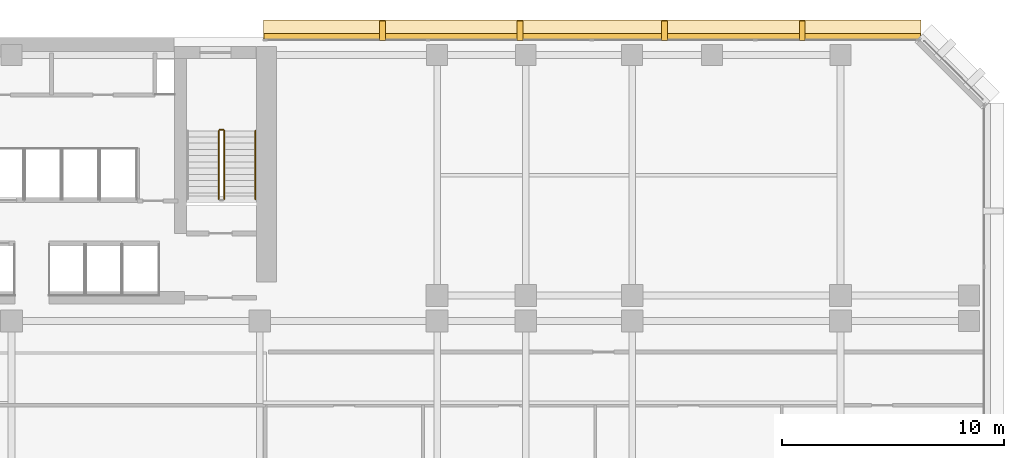
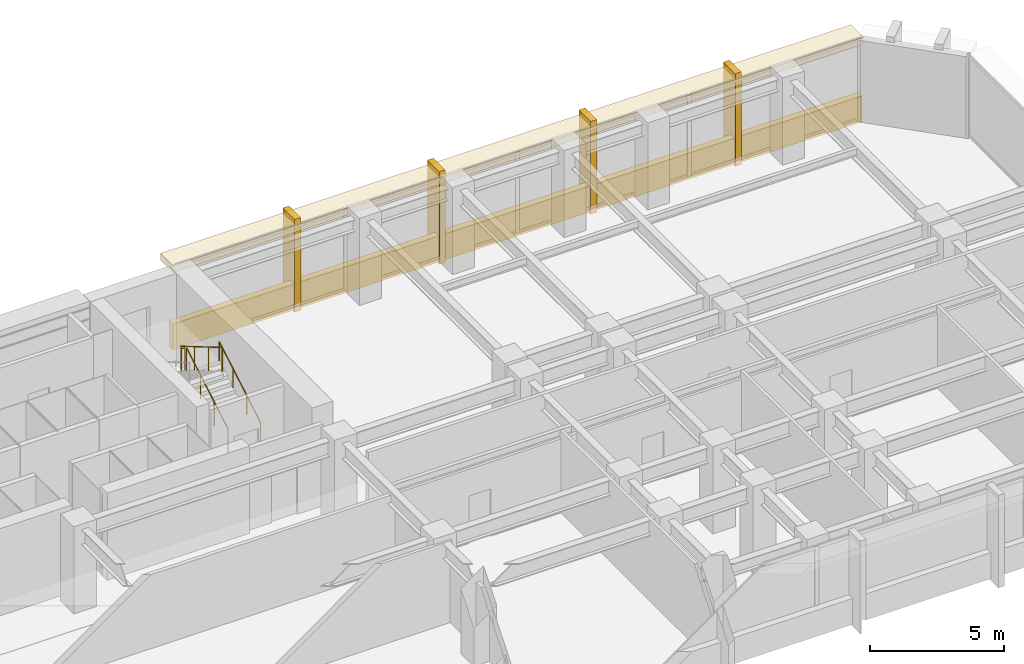
# One storey, part 12 of 13: 6 coverings, 4 railings.
"""IFC4 building model written with IfcOpenShell, lengths in metres."""

from ifc_helpers import new_model, si_unit, direction, frame, origin, origin_2d, place, context, subcontext, project, spatial, rectangle, circle, extrude, material, layer, layer_set, type_object, element, save


model = new_model("IFC4")

# Units and contexts
model_context = context("Model", 3, precision=1e-05, world=origin(), true_north=direction((0.0, 1.0)))
body_context = subcontext(model_context, "Body", "Model", "MODEL_VIEW")
ifc_project = project(units=[si_unit("LENGTHUNIT", "METRE"), si_unit("AREAUNIT", "SQUARE_METRE"), si_unit("VOLUMEUNIT", "CUBIC_METRE"), si_unit("PLANEANGLEUNIT", "RADIAN"), si_unit("MASSUNIT", "GRAM", prefix="KILO")], contexts=[model_context])

# Site, building, storey
site_placement = place(None, origin())
site = spatial("IfcSite", under=ifc_project, at=site_placement, CompositionType="ELEMENT")
building_placement = place(site_placement, origin())
building = spatial("IfcBuilding", under=site, at=building_placement, Name="Kefirva Bronze Tower", CompositionType="ELEMENT")
storey_placement = place(building_placement, frame((0.0, 0.0, 85.800048828125)))
storey = spatial("IfcBuildingStorey", under=building, at=storey_placement, Name="L20", CompositionType="ELEMENT", Elevation=85.800048828125)

# Covering
ifc_material_1 = material(Name="Bronze anodised aluminium", Category="aluminium")
ifc_layer_1 = layer(ifc_material_1, 0.02001953125, Name="Bronze anodised aluminium")
ifc_layer_set_1 = layer_set([ifc_layer_1], Name="Bronze anodised aluminium")
covering_type_1 = type_object("IfcCoveringType", Name="Anodised Bronze Spandrel Cladding 20mm", PredefinedType="CLADDING", material=ifc_layer_set_1)
covering_1_placement = place(storey_placement, frame((38.202392578125, 46.0400390625, -0.16015625), z_axis=(0.0, 0.0, 1.0), x_axis=(-1.0, 0.0, 0.0)))
element("IfcCovering", 1, at=covering_1_placement, inside=storey, type_object=covering_type_1, Name="L20 Streamline Horizontal Spandrel Band 8", PredefinedType="CLADDING", context=body_context, shape_type="SweptSolid", body=[
    extrude(rectangle(XDim=29.635009765625, YDim=0.280029296875, at=origin_2d()), origin(), (0.0, 0.0, 1.0), 1.179931640625),
])

# Railings
ifc_material_2 = material(Name="Stainless steel 316", Category="steel")
railing_type_1 = type_object("IfcRailingType", Name="Interior Stair Guardrail 1100mm", PredefinedType="GUARDRAIL", material=ifc_material_2)
railing_1_placement = place(storey_placement, frame((21.60009765625, 38.699951171875, 0.1650390625)))
element("IfcRailing", 2, at=railing_1_placement, inside=storey, type_object=railing_type_1, Name="L20 ST-2 stair guard 1", PredefinedType="GUARDRAIL", context=body_context, shape_type="SweptSolid", body=[
    extrude(circle(Radius=0.02392578125, at=origin_2d()), frame((0.0, 0.0, 1.076171875), z_axis=(0.0, 0.861551262678, 0.507670583921), x_axis=(-1.0, 0.0, 0.0)), (0.0, 0.0, 1.0), 3.574951171875),
    extrude(circle(Radius=0.02099609375, at=origin_2d()), origin(), (0.0, 0.0, 1.0), 1.052001953125),
    extrude(circle(Radius=0.02099609375, at=origin_2d()), frame((0.0, 1.026611328125, 0.60498046875)), (0.0, 0.0, 1.0), 1.052001953125),
    extrude(circle(Radius=0.02099609375, at=origin_2d()), frame((0.0, 2.053466796875, 1.2099609375)), (0.0, 0.0, 1.0), 1.052001953125),
    extrude(circle(Radius=0.02099609375, at=origin_2d()), frame((0.0, 3.080078125, 1.81494140625)), (0.0, 0.0, 1.0), 1.052001953125),
])
railing_2_placement = place(storey_placement, frame((21.550048828125, 41.830078125, 1.97998046875)))
element("IfcRailing", 3, at=railing_2_placement, inside=storey, type_object=railing_type_1, Name="L20 ST-2 stair guard 2", PredefinedType="GUARDRAIL", context=body_context, shape_type="SweptSolid", body=[
    extrude(circle(Radius=0.02392578125, at=origin_2d()), frame((0.0, 0.0, 1.076171875), z_axis=(-1.0, 0.0, 0.0), x_axis=(0.0, -1.0, 0.0)), (0.0, 0.0, 1.0), 0.150146484375),
    extrude(circle(Radius=0.02099609375, at=origin_2d()), origin(), (0.0, 0.0, 1.0), 1.052001953125),
    extrude(circle(Radius=0.02099609375, at=origin_2d()), frame((-0.150146484375, 0.0, 0.0)), (0.0, 0.0, 1.0), 1.052001953125),
])
railing_3_placement = place(storey_placement, frame((21.35009765625, 41.780029296875, 2.14501953125)))
element("IfcRailing", 4, at=railing_3_placement, inside=storey, type_object=railing_type_1, Name="L20 ST-2 stair guard 3", PredefinedType="GUARDRAIL", context=body_context, shape_type="SweptSolid", body=[
    extrude(circle(Radius=0.02392578125, at=origin_2d()), frame((0.0, 0.0, 1.076171875), z_axis=(0.0, -0.861551262678, 0.507670583921), x_axis=(1.0, 0.0, 0.0)), (0.0, 0.0, 1.0), 3.574951171875),
    extrude(circle(Radius=0.02099609375, at=origin_2d()), origin(), (0.0, 0.0, 1.0), 1.052001953125),
    extrude(circle(Radius=0.02099609375, at=origin_2d()), frame((0.0, -1.026611328125, 0.60498046875)), (0.0, 0.0, 1.0), 1.052001953125),
    extrude(circle(Radius=0.02099609375, at=origin_2d()), frame((0.0, -2.053466796875, 1.2099609375)), (0.0, 0.0, 1.0), 1.052001953125),
    extrude(circle(Radius=0.02099609375, at=origin_2d()), frame((0.0, -3.080078125, 1.81494140625)), (0.0, 0.0, 1.0), 1.052001953125),
])
railing_type_2 = type_object("IfcRailingType", Name="Stair Pitch Handrail 900mm", PredefinedType="HANDRAIL", material=ifc_material_2)
railing_4_placement = place(storey_placement, frame((23.0, 38.699951171875, 0.1650390625)))
element("IfcRailing", 5, at=railing_4_placement, inside=storey, type_object=railing_type_2, Name="L20 ST-2 stair handrail 1", PredefinedType="HANDRAIL", context=body_context, shape_type="SweptSolid", body=[
    extrude(circle(Radius=0.02392578125, at=origin_2d()), frame((0.0, 0.0, 0.8759765625), z_axis=(0.0, 0.861551262678, 0.507670583921), x_axis=(-1.0, 0.0, 0.0)), (0.0, 0.0, 1.0), 3.574951171875),
    extrude(circle(Radius=0.02099609375, at=origin_2d()), origin(), (0.0, 0.0, 1.0), 0.851806640625),
    extrude(circle(Radius=0.02099609375, at=origin_2d()), frame((0.0, 1.026611328125, 0.60498046875)), (0.0, 0.0, 1.0), 0.851806640625),
    extrude(circle(Radius=0.02099609375, at=origin_2d()), frame((0.0, 2.053466796875, 1.2099609375)), (0.0, 0.0, 1.0), 0.851806640625),
    extrude(circle(Radius=0.02099609375, at=origin_2d()), frame((0.0, 3.080078125, 1.81494140625)), (0.0, 0.0, 1.0), 0.851806640625),
])

# Coverings
ifc_layer_2 = layer(ifc_material_1, 0.179931640625, Name="Bronze anodised aluminium")
ifc_layer_set_2 = layer_set([ifc_layer_2], Name="Bronze anodised aluminium")
covering_type_2 = type_object("IfcCoveringType", Name="Streamline Bronze Sunshade Eyebrow Cladding 180mm", PredefinedType="CLADDING", material=ifc_layer_set_2)
covering_2_placement = place(storey_placement, frame((38.202392578125, 46.31005859375, 3.39013671875), z_axis=(0.0, 0.0, 1.0), x_axis=(-1.0, 0.0, 0.0)))
element("IfcCovering", 6, at=covering_2_placement, inside=storey, type_object=covering_type_2, Name="L20 Streamline Bronze Sunshade Eyebrow 8", PredefinedType="CLADDING", context=body_context, shape_type="SweptSolid", body=[
    extrude(rectangle(XDim=29.675048828125, YDim=0.93994140625, at=origin_2d()), origin(), (0.0, 0.0, 1.0), 0.320068359375),
])
ifc_layer_3 = layer(ifc_material_1, 0.260009765625, Name="Bronze anodised aluminium")
ifc_layer_set_3 = layer_set([ifc_layer_3], Name="Bronze anodised aluminium")
covering_type_3 = type_object("IfcCoveringType", Name="Unbroken Bronze Buttress Fin Cladding 260mm", PredefinedType="CLADDING", material=ifc_layer_set_3)
for number, where, z_axis, x_axis, name in (
    (7, (47.6728515625, 46.300048828125, -0.25), (0.0, 0.0, 1.0), (-1.0, 0.0, 0.0), "L20 Unbroken Vertical Bronze Rib Fin 19"),
    (8, (41.4580078125, 46.300048828125, -0.25), (0.0, 0.0, 1.0), (-1.0, 0.0, 0.0), "L20 Unbroken Vertical Bronze Rib Fin 20"),
    (9, (34.947021484375, 46.300048828125, -0.25), (0.0, 0.0, 1.0), (-1.0, 0.0, 0.0), "L20 Unbroken Vertical Bronze Rib Fin 21"),
    (10, (28.732177734375, 46.300048828125, -0.25), (0.0, 0.0, 1.0), (-1.0, 0.0, 0.0), "L20 Unbroken Vertical Bronze Rib Fin 22"),
):
    element("IfcCovering", number, at=place(storey_placement, frame(where, z_axis=z_axis, x_axis=x_axis)), inside=storey, type_object=covering_type_3, Name=name, PredefinedType="CLADDING", context=body_context, shape_type="SweptSolid", body=[
        extrude(rectangle(XDim=0.260009765625, YDim=0.8798828125, at=origin_2d()), origin(), (0.0, 0.0, 1.0), 4.2099609375),
    ])

save(model, "model.ifc")
